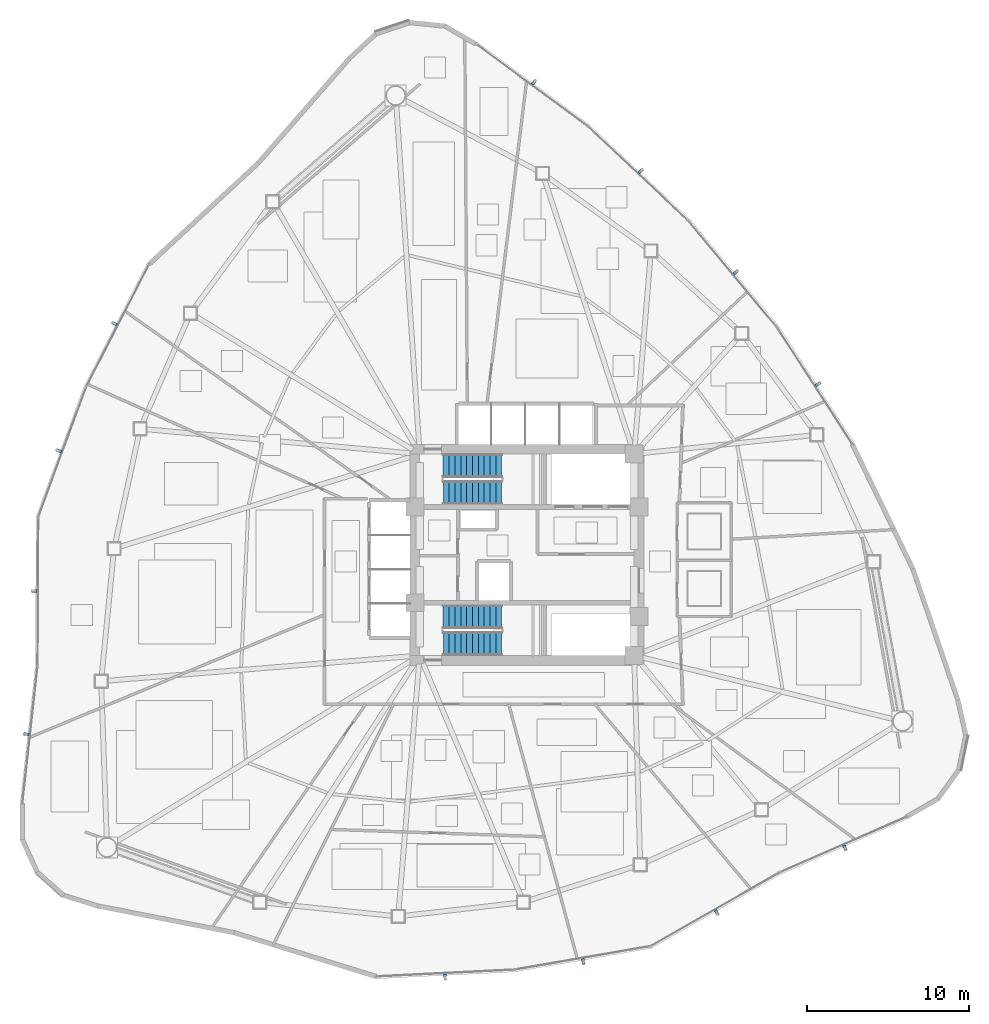
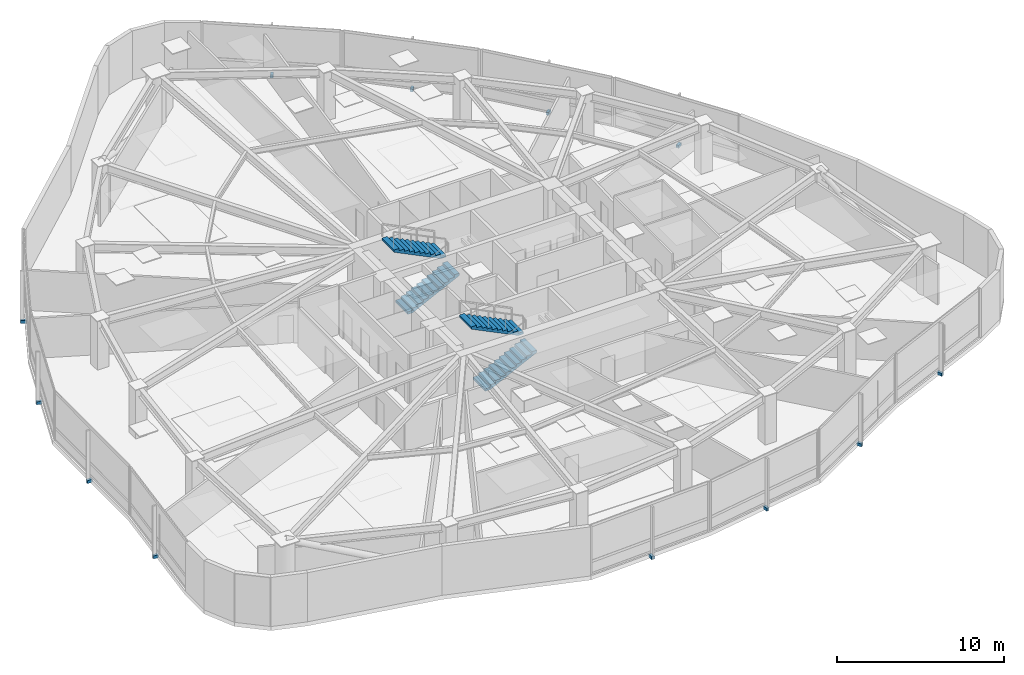
# One storey, part 14 of 18: 12 discrete accessories, 4 stair flights, 2 elements without a shape of their own.
"""IFC4 building model written with IfcOpenShell, lengths in metres."""

from ifc_helpers import new_model, si_unit, direction, frame, origin, origin_2d, place, context, subcontext, project, spatial, polyline, rectangle, outline, extrude, source, transform, mapped, material, type_object, type_shapes, element, aggregate, save


model = new_model("IFC4")

# Units and contexts
model_context = context("Model", 3, precision=1e-05, world=origin(), true_north=direction((0.0, 1.0)))
body_context = subcontext(model_context, "Body", "Model", "MODEL_VIEW")
ifc_project = project(units=[si_unit("LENGTHUNIT", "METRE"), si_unit("AREAUNIT", "SQUARE_METRE"), si_unit("VOLUMEUNIT", "CUBIC_METRE"), si_unit("PLANEANGLEUNIT", "RADIAN"), si_unit("MASSUNIT", "GRAM", prefix="KILO")], contexts=[model_context])

# Site, building, storey
site_placement = place(None, origin())
site = spatial("IfcSite", under=ifc_project, at=site_placement, CompositionType="ELEMENT")
building_placement = place(site_placement, origin())
building = spatial("IfcBuilding", under=site, at=building_placement, Name="Tavelor Broadcast Tower", CompositionType="ELEMENT")
storey_placement = place(building_placement, frame((0.0, 0.0, 51.0)))
storey = spatial("IfcBuildingStorey", under=building, at=storey_placement, Name="L11", CompositionType="ELEMENT", Elevation=51.0)

# Stair, stair flights
ifc_material_1 = material(Name="Concrete C40/50", Category="concrete")
stair_type = type_object("IfcStairType", Name="Reinforced Concrete Protected Dogleg Stair 1450 mm", PredefinedType="HALF_TURN_STAIR", material=ifc_material_1)
stair_1_placement = place(storey_placement, origin())
stair_1 = element("IfcStair", 1, at=stair_1_placement, inside=storey, type_object=stair_type, Name="L11 Protected Core Exit Stair ST1", PredefinedType="HALF_TURN_STAIR")
stair_flight_type = type_object("IfcStairFlightType", Name="Reinforced Concrete Stair Flight 1450 mm", PredefinedType="STRAIGHT", material=ifc_material_1)
stair_flight_1_placement = place(storey_placement, frame((44.85009765625, 48.824951171875, 0.0), z_axis=(0.0, 0.0, 1.0), x_axis=(1.0, 0.0, 0.0)))
stair_flight_1 = element("IfcStairFlight", 2, at=stair_flight_1_placement, type_object=stair_flight_type, Name="ST1 flight 1", NumberOfRisers=11, NumberOfTreads=10, PredefinedType="STRAIGHT", RiserHeight=0.177272727, TreadLength=0.36, context=body_context, shape_type="SweptSolid", body=[
    extrude(outline(polyline([(0.0, 0.0), (0.0, 0.17724609375), (0.360107421875, 0.17724609375), (0.360107421875, 0.3544921875), (0.719970703125, 0.3544921875), (0.719970703125, 0.53173828125), (1.080078125, 0.53173828125), (1.080078125, 0.708984375), (1.43994140625, 0.708984375), (1.43994140625, 0.886474609375), (1.800048828125, 0.886474609375), (1.800048828125, 1.063720703125), (2.159912109375, 1.063720703125), (2.159912109375, 1.240966796875), (2.52001953125, 1.240966796875), (2.52001953125, 1.418212890625), (2.8798828125, 1.418212890625), (2.8798828125, 1.595458984375), (3.239990234375, 1.595458984375), (3.239990234375, 1.772705078125), (3.60009765625, 1.772705078125), (3.60009765625, 1.949951171875), (3.60009765625, 1.605712890625), (0.33935546875, 0.0), (0.0, 0.0)])), frame((0.0, 0.72509765625, 0.0), z_axis=(0.0, -1.0, 0.0), x_axis=(1.0, 0.0, 0.0)), (0.0, 0.0, 1.0), 1.449951171875),
])
stair_flight_2_placement = place(storey_placement, frame((48.449951171875, 50.47509765625, 1.949951171875), z_axis=(0.0, 0.0, 1.0), x_axis=(-1.0, 0.0, 0.0)))
stair_flight_2 = element("IfcStairFlight", 3, at=stair_flight_2_placement, type_object=stair_flight_type, Name="ST1 flight 2", NumberOfRisers=11, NumberOfTreads=10, PredefinedType="STRAIGHT", RiserHeight=0.177272727, TreadLength=0.36, context=body_context, shape_type="SweptSolid", body=[
    extrude(outline(polyline([(0.0, 0.0), (0.0, 0.17724609375), (0.360107421875, 0.17724609375), (0.360107421875, 0.3544921875), (0.719970703125, 0.3544921875), (0.719970703125, 0.53173828125), (1.080078125, 0.53173828125), (1.080078125, 0.708984375), (1.43994140625, 0.708984375), (1.43994140625, 0.886474609375), (1.800048828125, 0.886474609375), (1.800048828125, 1.063720703125), (2.159912109375, 1.063720703125), (2.159912109375, 1.240966796875), (2.52001953125, 1.240966796875), (2.52001953125, 1.418212890625), (2.8798828125, 1.418212890625), (2.8798828125, 1.595458984375), (3.239990234375, 1.595458984375), (3.239990234375, 1.772705078125), (3.60009765625, 1.772705078125), (3.60009765625, 1.949951171875), (3.60009765625, 1.605712890625), (0.33935546875, 0.0), (0.0, 0.0)])), frame((0.0, 0.72509765625, 0.0), z_axis=(0.0, -1.0, 0.0), x_axis=(1.0, 0.0, 0.0)), (0.0, 0.0, 1.0), 1.449951171875),
])
aggregate(stair_1, [stair_flight_1, stair_flight_2])

stair_2_placement = place(storey_placement, origin())
stair_2 = element("IfcStair", 4, at=stair_2_placement, inside=storey, type_object=stair_type, Name="L11 Protected Core Exit Stair ST2", PredefinedType="HALF_TURN_STAIR")
stair_flight_3_placement = place(storey_placement, frame((44.85009765625, 39.52490234375, 0.0), z_axis=(0.0, 0.0, 1.0), x_axis=(1.0, 0.0, 0.0)))
stair_flight_3 = element("IfcStairFlight", 5, at=stair_flight_3_placement, type_object=stair_flight_type, Name="ST2 flight 1", NumberOfRisers=11, NumberOfTreads=10, PredefinedType="STRAIGHT", RiserHeight=0.177272727, TreadLength=0.36, context=body_context, shape_type="SweptSolid", body=[
    extrude(outline(polyline([(0.0, 0.0), (0.0, 0.17724609375), (0.360107421875, 0.17724609375), (0.360107421875, 0.3544921875), (0.719970703125, 0.3544921875), (0.719970703125, 0.53173828125), (1.080078125, 0.53173828125), (1.080078125, 0.708984375), (1.43994140625, 0.708984375), (1.43994140625, 0.886474609375), (1.800048828125, 0.886474609375), (1.800048828125, 1.063720703125), (2.159912109375, 1.063720703125), (2.159912109375, 1.240966796875), (2.52001953125, 1.240966796875), (2.52001953125, 1.418212890625), (2.8798828125, 1.418212890625), (2.8798828125, 1.595458984375), (3.239990234375, 1.595458984375), (3.239990234375, 1.772705078125), (3.60009765625, 1.772705078125), (3.60009765625, 1.949951171875), (3.60009765625, 1.605712890625), (0.33935546875, 0.0), (0.0, 0.0)])), frame((0.0, 0.72509765625, 0.0), z_axis=(0.0, -1.0, 0.0), x_axis=(1.0, 0.0, 0.0)), (0.0, 0.0, 1.0), 1.449951171875),
])
stair_flight_4_placement = place(storey_placement, frame((48.449951171875, 41.175048828125, 1.949951171875), z_axis=(0.0, 0.0, 1.0), x_axis=(-1.0, 0.0, 0.0)))
stair_flight_4 = element("IfcStairFlight", 6, at=stair_flight_4_placement, type_object=stair_flight_type, Name="ST2 flight 2", NumberOfRisers=11, NumberOfTreads=10, PredefinedType="STRAIGHT", RiserHeight=0.177272727, TreadLength=0.36, context=body_context, shape_type="SweptSolid", body=[
    extrude(outline(polyline([(0.0, 0.0), (0.0, 0.17724609375), (0.360107421875, 0.17724609375), (0.360107421875, 0.3544921875), (0.719970703125, 0.3544921875), (0.719970703125, 0.53173828125), (1.080078125, 0.53173828125), (1.080078125, 0.708984375), (1.43994140625, 0.708984375), (1.43994140625, 0.886474609375), (1.800048828125, 0.886474609375), (1.800048828125, 1.063720703125), (2.159912109375, 1.063720703125), (2.159912109375, 1.240966796875), (2.52001953125, 1.240966796875), (2.52001953125, 1.418212890625), (2.8798828125, 1.418212890625), (2.8798828125, 1.595458984375), (3.239990234375, 1.595458984375), (3.239990234375, 1.772705078125), (3.60009765625, 1.772705078125), (3.60009765625, 1.949951171875), (3.60009765625, 1.605712890625), (0.33935546875, 0.0), (0.0, 0.0)])), frame((0.0, 0.72509765625, 0.0), z_axis=(0.0, -1.0, 0.0), x_axis=(1.0, 0.0, 0.0)), (0.0, 0.0, 1.0), 1.449951171875),
])
aggregate(stair_2, [stair_flight_3, stair_flight_4])

# Discrete accessories
ifc_material_2 = material(Name="Steel S355", Category="steel")
discrete_accessory_type = type_object("IfcDiscreteAccessoryType", Name="Stainless Baguette Outrigger Support Bracket 260x180", PredefinedType="BRACKET", material=ifc_material_2)
shared_shape = source(origin(), body_context, "Body", "SweptSolid", [
    extrude(rectangle(XDim=0.179931640625, YDim=0.340087890625, at=origin_2d()), origin(), (0.0, 0.0, 1.0), 0.216064453125),
])
type_shapes(discrete_accessory_type, [shared_shape])
for number, where, z_axis, x_axis, name in (
    (7, (24.625, 59.22412109375, -0.2578125), (0.0, 0.0, 1.0), (-0.456787434334, -0.889575876378, 0.0), "L11 Baguette Outrigger Bracket 85"),
    (8, (21.190673828125, 51.400390625, -0.2578125), (0.0, 0.0, 1.0), (-0.34562577382, -0.938372433776, 0.0), "L11 Baguette Outrigger Bracket 86"),
    (9, (19.6875, 42.778564453125, -0.2578125), (0.0, 0.0, 1.0), (-0.004363309285, -0.999990480721, 0.0), "L11 Baguette Outrigger Bracket 87"),
    (10, (19.197021484375, 33.95458984375, -0.2578125), (0.0, 0.0, 1.0), (-0.110081262225, -0.9939225904, 0.0), "L11 Baguette Outrigger Bracket 88"),
    (11, (44.968994140625, 19.030029296875, -0.2578125), (0.0, 0.0, 1.0), (0.998789024705, 0.049198415926, 0.0), "L11 Baguette Outrigger Bracket 89"),
    (12, (53.461669921875, 19.9677734375, -0.2578125), (0.0, 0.0, 1.0), (0.985467252771, 0.169865516557, 0.0), "L11 Baguette Outrigger Bracket 90"),
    (13, (61.68017578125, 22.97705078125, -0.2578125), (0.0, 0.0, 1.0), (0.868198814489, 0.496216503675, 0.0), "L11 Baguette Outrigger Bracket 91"),
    (14, (69.56689453125, 26.964111328125, -0.2578125), (0.0, 0.0, 1.0), (0.915802843794, 0.401628125633, 0.0), "L11 Baguette Outrigger Bracket 92"),
    (15, (67.91357421875, 55.50244140625, -0.2578125), (0.0, 0.0, 1.0), (-0.542148255651, 0.84028285053, 0.0), "L11 Baguette Outrigger Bracket 93"),
    (16, (62.855224609375, 62.388427734375, -0.2578125), (0.0, 0.0, 1.0), (-0.639707339446, 0.768618578918, 0.0), "L11 Baguette Outrigger Bracket 94"),
    (17, (57.000732421875, 68.61181640625, -0.2578125), (0.0, 0.0, 1.0), (-0.728131751529, 0.685437198009, 0.0), "L11 Baguette Outrigger Bracket 95"),
    (18, (50.43603515625, 74.081298828125, -0.2578125), (0.0, 0.0, 1.0), (-0.805721581569, 0.592294464767, 0.0), "L11 Baguette Outrigger Bracket 96"),
):
    element("IfcDiscreteAccessory", number, at=place(storey_placement, frame(where, z_axis=z_axis, x_axis=x_axis)), inside=storey, type_object=discrete_accessory_type, Name=name, PredefinedType="BRACKET", context=body_context, shape_type="MappedRepresentation", body=[
        mapped(shared_shape, transform((0.0, 0.0, 0.0), scale=1.0)),
    ])

save(model, "model.ifc")
